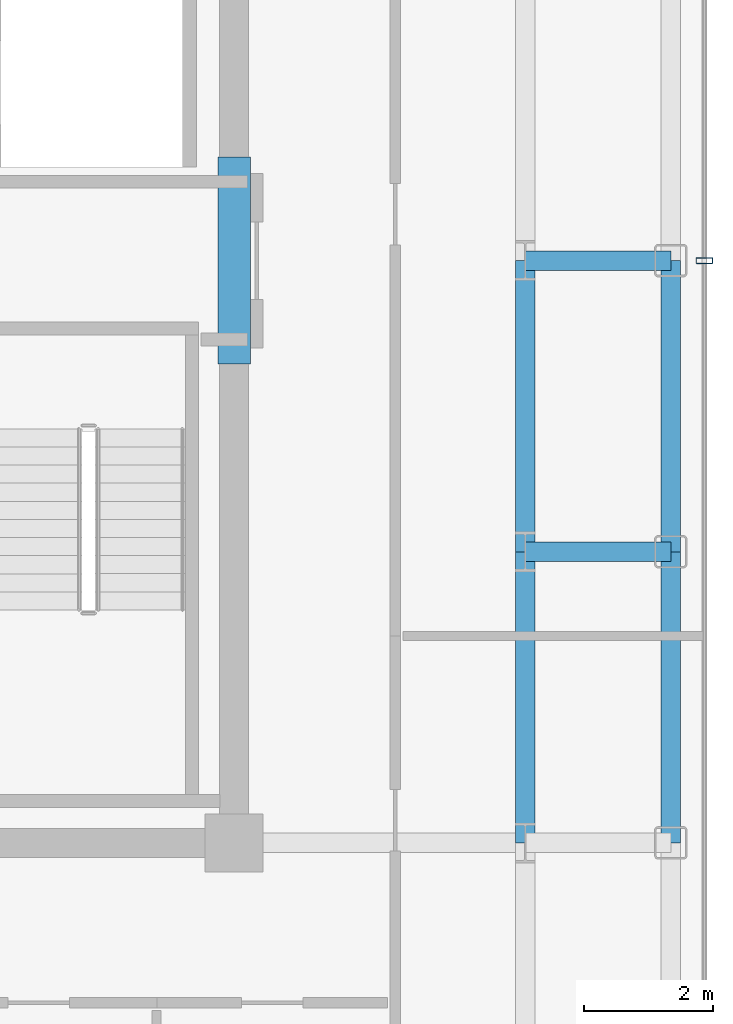
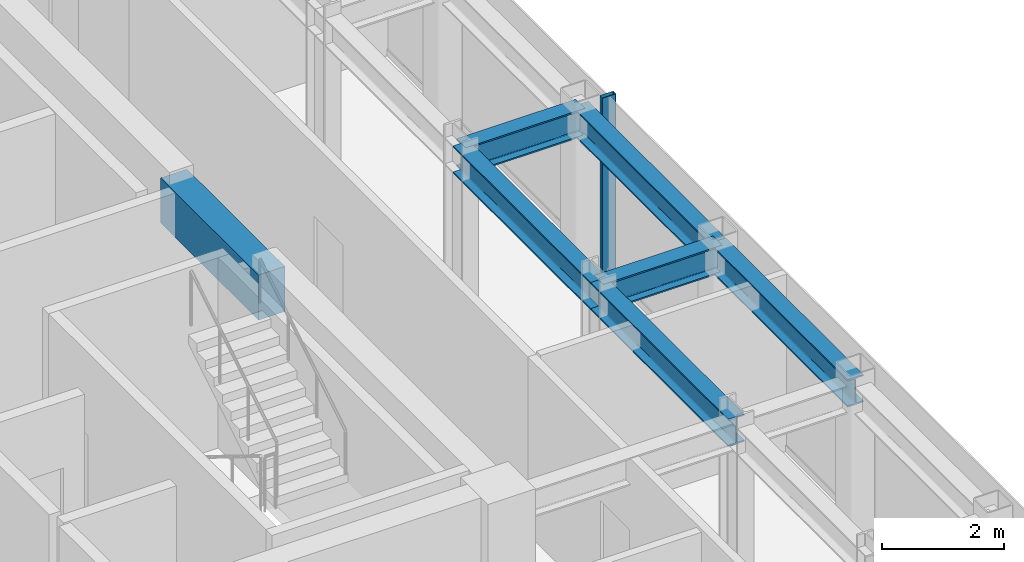
# One storey, part 7 of 18: 7 beams, 1 member, 1 element without a shape of its own.
"""IFC4 building model written with IfcOpenShell, lengths in metres."""

from ifc_helpers import new_model, si_unit, direction, frame, origin, origin_2d, place, context, subcontext, project, spatial, rectangle, hollow_rectangle, i_section, extrude, source, transform, mapped, material, layer, layer_set, material_profile, profile_set, type_object, element, aggregate, save


model = new_model("IFC4")

# Units and contexts
model_context = context("Model", 3, precision=1e-05, world=origin(), true_north=direction((0.0, 1.0)))
body_context = subcontext(model_context, "Body", "Model", "MODEL_VIEW")
ifc_project = project(units=[si_unit("LENGTHUNIT", "METRE"), si_unit("AREAUNIT", "SQUARE_METRE"), si_unit("VOLUMEUNIT", "CUBIC_METRE"), si_unit("PLANEANGLEUNIT", "RADIAN"), si_unit("MASSUNIT", "GRAM", prefix="KILO")], contexts=[model_context])

# Site, building, storey
site_placement = place(None, origin())
site = spatial("IfcSite", under=ifc_project, at=site_placement, CompositionType="ELEMENT")
building_placement = place(site_placement, origin())
building = spatial("IfcBuilding", under=site, at=building_placement, Name="Nefas-Gora Pilgrimage Tower", CompositionType="ELEMENT")
storey_placement = place(building_placement, frame((0.0, 0.0, 306.39990234375)))
storey = spatial("IfcBuildingStorey", under=building, at=storey_placement, Name="L77", CompositionType="ELEMENT", Elevation=306.39990234375)

# Beams
ifc_material_1 = material(Name="Concrete C50/60", Category="concrete")
ifc_material_profile_1 = material_profile(ifc_material_1, rectangle(XDim=0.5, YDim=0.89990234375, at=origin_2d()), Name="RC 500x900")
ifc_profile_set_1 = profile_set([ifc_material_profile_1], Name="Concrete C50/60")
beam_type_1 = type_object("IfcBeamType", Name="BM-LIN-RC900", PredefinedType="LINTEL", material=ifc_profile_set_1)
shared_shape_1 = source(origin(), body_context, "Body", "SweptSolid", [
    extrude(rectangle(XDim=0.5, YDim=0.89990234375, at=origin_2d()), origin(), (0.0, 0.0, 1.0), 3.2001953125),
])
beam_placement = place(storey_placement, frame((11.25, -1.60009765625, 3.10009765625), z_axis=(0.0, 1.0, 0.0), x_axis=(-1.0, 0.0, 0.0)))
element("IfcBeam", 1, at=beam_placement, inside=storey, type_object=beam_type_1, Name="L77 Core Coupling Lintel Beam E", PredefinedType="LINTEL", context=body_context, shape_type="MappedRepresentation", body=[
    mapped(shared_shape_1, transform((0.0, 0.0, 0.0), x_axis=(1.0, 0.0, 0.0), y_axis=(0.0, 1.0, 0.0), z_axis=(0.0, 0.0, 1.0), scale=1.0)),
])
ifc_material_2 = material(Name="Steel S355", Category="steel")
ifc_material_profile_2 = material_profile(ifc_material_2, i_section(OverallWidth=0.300048828125, OverallDepth=0.550048828125, WebThickness=0.014892578125, FlangeThickness=0.029052734375, FilletRadius=0.027099609375, at=origin_2d()), Name="HEB 550")
ifc_profile_set_2 = profile_set([ifc_material_profile_2], Name="Steel S355")
beam_type_2 = type_object("IfcBeamType", Name="BM-SPN-HEB400", PredefinedType="SPANDREL", material=ifc_profile_set_2)
shared_shape_2 = source(origin(), body_context, "Body", "SweptSolid", [
    extrude(i_section(OverallWidth=0.300048828125, OverallDepth=0.550048828125, WebThickness=0.014892578125, FlangeThickness=0.029052734375, FilletRadius=0.027099609375, at=origin_2d()), origin(), (0.0, 0.0, 1.0), 4.5),
])
for number, where, z_axis, x_axis, name in (
    (2, (18.0, -9.0, 3.275146484375), (0.0, 1.0, 0.0), (-1.0, 0.0, 0.0), "L77 SP-04 beam"),
    (3, (18.0, -4.5, 3.275146484375), (0.0, 1.0, 0.0), (-1.0, 0.0, 0.0), "L77 SP-04 beam"),
):
    element("IfcBeam", number, at=place(storey_placement, frame(where, z_axis=z_axis, x_axis=x_axis)), inside=storey, type_object=beam_type_2, Name=name, PredefinedType="SPANDREL", context=body_context, shape_type="MappedRepresentation", body=[
        mapped(shared_shape_2, transform((0.0, 0.0, 0.0), x_axis=(1.0, 0.0, 0.0), y_axis=(0.0, 1.0, 0.0), z_axis=(0.0, 0.0, 1.0), scale=1.0)),
    ])
ifc_material_profile_3 = material_profile(ifc_material_2, i_section(OverallWidth=0.300048828125, OverallDepth=0.550048828125, WebThickness=0.014892578125, FlangeThickness=0.029052734375, FilletRadius=0.027099609375, at=origin_2d()), Name="HEB 550")
ifc_profile_set_3 = profile_set([ifc_material_profile_3], Name="Steel S355")
beam_type_3 = type_object("IfcBeamType", Name="BM-GIR-HEB550", PredefinedType="BEAM", material=ifc_profile_set_3)
shared_shape_3 = source(origin(), body_context, "Body", "SweptSolid", [
    extrude(i_section(OverallWidth=0.300048828125, OverallDepth=0.550048828125, WebThickness=0.014892578125, FlangeThickness=0.029052734375, FilletRadius=0.027099609375, at=origin_2d()), origin(), (0.0, 0.0, 1.0), 4.5),
])
for number, where, z_axis, x_axis, name in (
    (4, (15.75, -9.0, 3.275146484375), (0.0, 1.0, 0.0), (-1.0, 0.0, 0.0), "L77 G-05 beam"),
    (5, (15.75, -4.5, 3.275146484375), (0.0, 1.0, 0.0), (-1.0, 0.0, 0.0), "L77 G-05 beam"),
):
    element("IfcBeam", number, at=place(storey_placement, frame(where, z_axis=z_axis, x_axis=x_axis)), inside=storey, type_object=beam_type_3, Name=name, PredefinedType="BEAM", context=body_context, shape_type="MappedRepresentation", body=[
        mapped(shared_shape_3, transform((0.0, 0.0, 0.0), x_axis=(1.0, 0.0, 0.0), y_axis=(0.0, 1.0, 0.0), z_axis=(0.0, 0.0, 1.0), scale=1.0)),
    ])
shared_shape_4 = source(origin(), body_context, "Body", "SweptSolid", [
    extrude(i_section(OverallWidth=0.300048828125, OverallDepth=0.550048828125, WebThickness=0.014892578125, FlangeThickness=0.029052734375, FilletRadius=0.027099609375, at=origin_2d()), origin(), (0.0, 0.0, 1.0), 2.25),
])
for number, where, z_axis, x_axis, name in (
    (6, (15.75, -4.5, 3.275146484375), (1.0, 0.0, 0.0), (0.0, 1.0, 0.0), "L77 G-05 beam"),
    (7, (15.75, 0.0, 3.275146484375), (1.0, 0.0, 0.0), (0.0, 1.0, 0.0), "L77 G-05 beam"),
):
    element("IfcBeam", number, at=place(storey_placement, frame(where, z_axis=z_axis, x_axis=x_axis)), inside=storey, type_object=beam_type_3, Name=name, PredefinedType="BEAM", context=body_context, shape_type="MappedRepresentation", body=[
        mapped(shared_shape_4, transform((0.0, 0.0, 0.0), x_axis=(1.0, 0.0, 0.0), y_axis=(0.0, 1.0, 0.0), z_axis=(0.0, 0.0, 1.0), scale=1.0)),
    ])

# Curtain wall, member
ifc_material_3 = material(Name="Dark ceramic-fritted solar-control aluminium-glass curtain wall", Category="aluminium")
ifc_layer = layer(ifc_material_3, 0.219970703125)
ifc_layer_set = layer_set([ifc_layer], Name="Dark ceramic-fritted solar-control aluminium-glass curtain wall")
curtain_wall_type = type_object("IfcCurtainWallType", Name="CW-SYS-4", PredefinedType="NOTDEFINED", material=ifc_layer_set)
curtain_wall_placement = place(storey_placement, origin())
curtain_wall = element("IfcCurtainWall", 8, at=curtain_wall_placement, inside=storey, type_object=curtain_wall_type, Name="L77 Unitised Curtain Wall CW4", PredefinedType="NOTDEFINED")
ifc_material_4 = material(Name="Anodised architectural aluminium", Category="aluminium")
ifc_material_profile_4 = material_profile(ifc_material_4, hollow_rectangle(XDim=0.090087890625, YDim=0.260009765625, WallThickness=0.006103515625, InnerFilletRadius=0.006103515625, OuterFilletRadius=0.011962890625, at=origin_2d()), Name="ALU MULLION 90x260")
ifc_profile_set_4 = profile_set([ifc_material_profile_4], Name="Anodised architectural aluminium")
member_type = type_object("IfcMemberType", Name="CWM-MUL-4", PredefinedType="MULLION", material=ifc_profile_set_4)
shared_shape_5 = source(origin(), body_context, "Body", "SweptSolid", [
    extrude(hollow_rectangle(XDim=0.090087890625, YDim=0.260009765625, WallThickness=0.006103515625, InnerFilletRadius=0.006103515625, OuterFilletRadius=0.011962890625, at=origin_2d()), origin(), (0.0, 0.0, 1.0), 3.550048828125),
])
member_placement = place(storey_placement, frame((18.52001953125, 0.0, 0.0), z_axis=(0.0, 0.0, 1.0), x_axis=(0.0, 1.0, 0.0)))
member = element("IfcMember", 9, at=member_placement, type_object=member_type, Name="CW4 Mullion 2", PredefinedType="MULLION", context=body_context, shape_type="MappedRepresentation", body=[
    mapped(shared_shape_5, transform((0.0, 0.0, 0.0), x_axis=(1.0, 0.0, 0.0), y_axis=(0.0, 1.0, 0.0), z_axis=(0.0, 0.0, 1.0), scale=1.0)),
])
aggregate(curtain_wall, [member])

save(model, "model.ifc")
